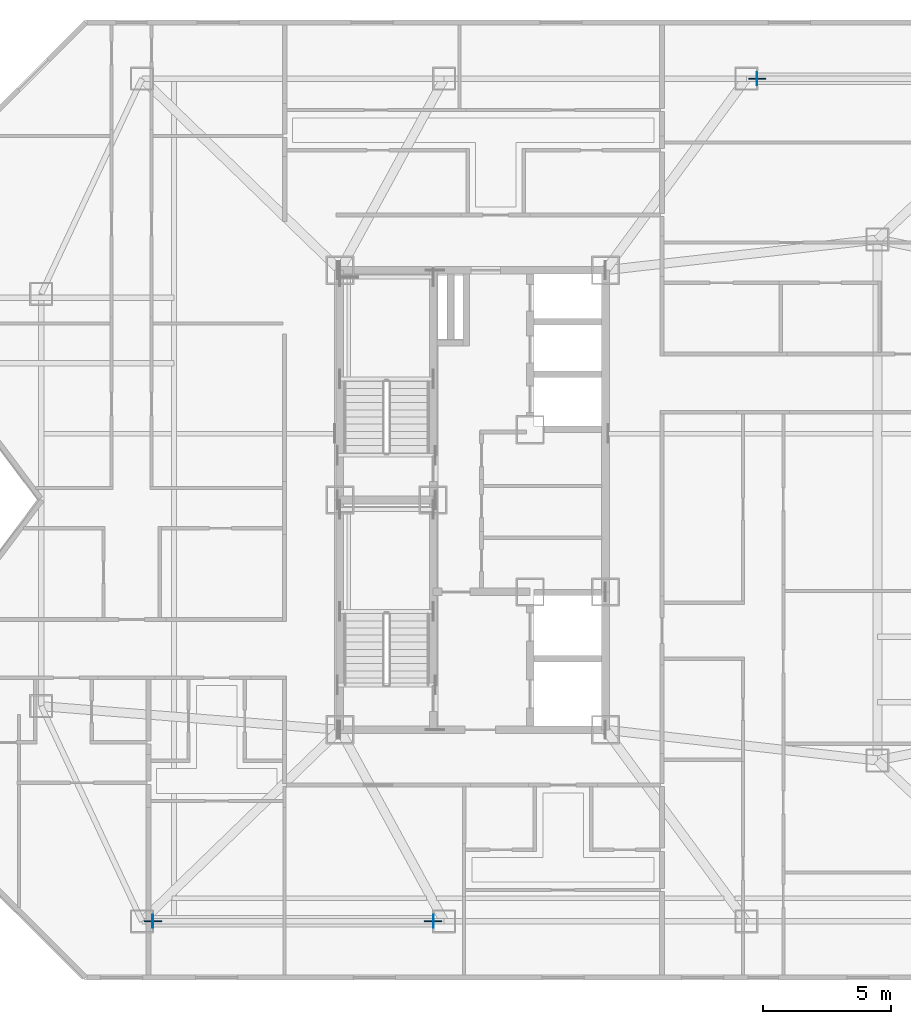
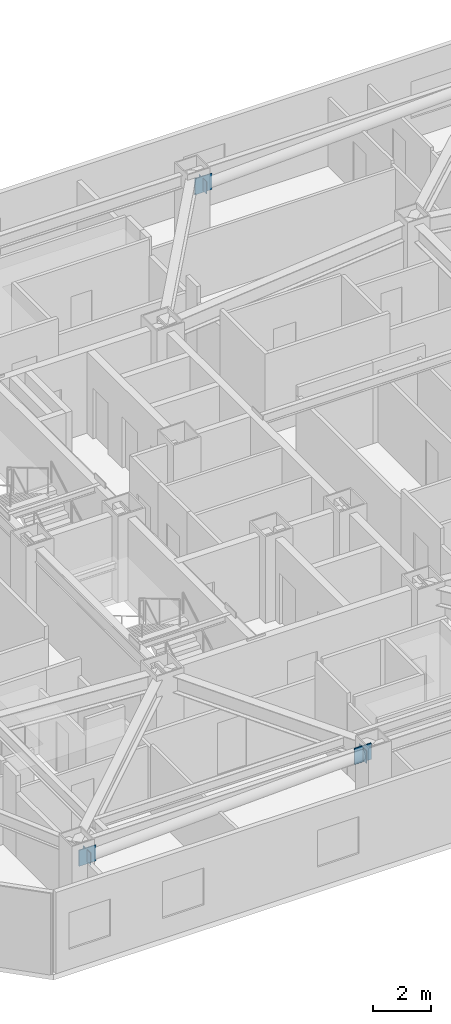
# One storey, part 3 of 13: 6 plates.
"""IFC4 building model written with IfcOpenShell, lengths in metres."""

from ifc_helpers import new_model, si_unit, direction, frame, origin, origin_2d, place, context, subcontext, project, spatial, rectangle, extrude, material, layer, layer_set, type_object, element, save


model = new_model("IFC4")

# Units and contexts
model_context = context("Model", 3, precision=1e-05, world=origin(), true_north=direction((0.0, 1.0)))
body_context = subcontext(model_context, "Body", "Model", "MODEL_VIEW")
ifc_project = project(units=[si_unit("LENGTHUNIT", "METRE"), si_unit("AREAUNIT", "SQUARE_METRE"), si_unit("VOLUMEUNIT", "CUBIC_METRE"), si_unit("PLANEANGLEUNIT", "RADIAN"), si_unit("MASSUNIT", "GRAM", prefix="KILO")], contexts=[model_context])

# Site, building, storey
site_placement = place(None, origin())
site = spatial("IfcSite", under=ifc_project, at=site_placement, CompositionType="ELEMENT")
building_placement = place(site_placement, origin())
building = spatial("IfcBuilding", under=site, at=building_placement, Name="Khamvora Tower", CompositionType="ELEMENT")
storey_placement = place(building_placement, frame((0.0, 0.0, 166.85009765625)))
storey = spatial("IfcBuildingStorey", under=building, at=storey_placement, Name="L42", CompositionType="ELEMENT", Elevation=166.85009765625)

# Plates
ifc_material_1 = material(Name="Steel S355", Category="steel")
ifc_layer_1 = layer(ifc_material_1, 0.02490234375)
ifc_layer_set_1 = layer_set([ifc_layer_1], Name="Steel S355")
plate_type_1 = type_object("IfcPlateType", Name="PL-CAP-25", PredefinedType="SHEET", material=ifc_layer_set_1)
for number, where, z_axis, x_axis, name in (
    (1, (21.66796875, 11.5, 2.4384765625), (0.0, 0.0, 1.0), (1.0, 0.0, 0.0), "L42 hollow section steel end cap plate 0948"),
    (2, (32.6650390625, 11.5, 2.886474609375), (0.0, 0.0, 1.0), (1.0, 0.0, 0.0), "L42 hollow section steel end cap plate 0949"),
    (3, (45.3349609375, 44.5, 2.4384765625), (0.0, 0.0, 1.0), (1.0, 0.0, 0.0), "L42 hollow section steel end cap plate 0950"),
):
    element("IfcPlate", number, at=place(storey_placement, frame(where, z_axis=z_axis, x_axis=x_axis)), inside=storey, type_object=plate_type_1, Name=name, PredefinedType="SHEET", context=body_context, shape_type="SweptSolid", body=[
        extrude(rectangle(XDim=0.02490234375, YDim=0.51708984375, at=origin_2d()), origin(), (0.0, 0.0, 1.0), 0.51708984375),
    ])
ifc_material_2 = material(Name="Steel S460", Category="steel")
ifc_layer_2 = layer(ifc_material_2, 0.0400390625)
ifc_layer_set_2 = layer_set([ifc_layer_2], Name="Steel S460")
plate_type_2 = type_object("IfcPlateType", Name="PLT-GUS-40", PredefinedType="SHEET", material=ifc_layer_set_2)
for number, where, z_axis, x_axis, name in (
    (4, (21.679931640625, 11.5, 2.35791015625), (0.0, 0.0, 1.0), (1.0, 0.0, 0.0), "L42 brace connection node gusset plate 0285"),
    (5, (32.653076171875, 11.5, 2.8037109375), (0.0, 0.0, 1.0), (1.0, 0.0, 0.0), "L42 brace connection node gusset plate 0286"),
    (6, (45.346923828125, 44.5, 2.35791015625), (0.0, 0.0, 1.0), (1.0, 0.0, 0.0), "L42 brace connection node gusset plate 0287"),
):
    element("IfcPlate", number, at=place(storey_placement, frame(where, z_axis=z_axis, x_axis=x_axis)), inside=storey, type_object=plate_type_2, Name=name, PredefinedType="SHEET", context=body_context, shape_type="SweptSolid", body=[
        extrude(rectangle(XDim=0.679931640625, YDim=0.0400390625, at=origin_2d()), origin(), (0.0, 0.0, 1.0), 0.679931640625),
    ])

save(model, "model.ifc")
